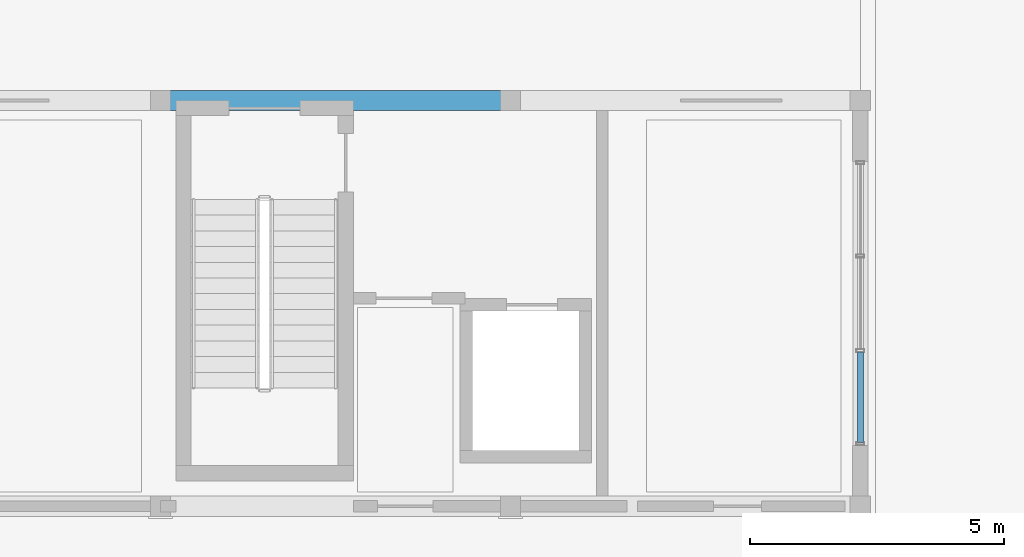
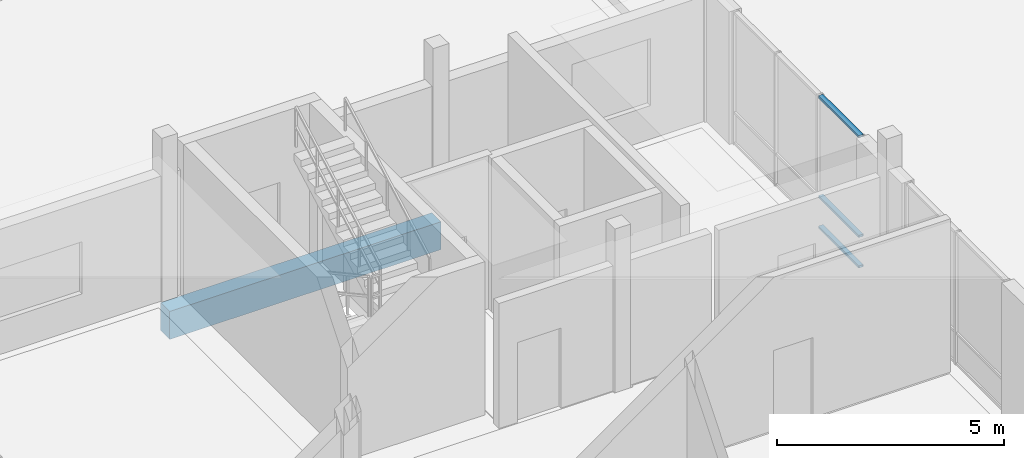
# One storey, part 90 of 233: 3 members, 1 beam, 1 element without a shape of its own.
"""IFC4 building model written with IfcOpenShell, lengths in metres."""

from ifc_helpers import new_model, si_unit, direction, frame, origin, origin_2d, place, context, subcontext, project, spatial, rectangle, hollow_rectangle, extrude, material, material_profile, profile_set, type_object, element, aggregate, save


model = new_model("IFC4")

# Units and contexts
model_context = context("Model", 3, precision=1e-05, world=origin(), true_north=direction((0.0, 1.0)))
body_context = subcontext(model_context, "Body", "Model", "MODEL_VIEW")
ifc_project = project(units=[si_unit("LENGTHUNIT", "METRE"), si_unit("AREAUNIT", "SQUARE_METRE"), si_unit("VOLUMEUNIT", "CUBIC_METRE"), si_unit("PLANEANGLEUNIT", "RADIAN"), si_unit("MASSUNIT", "GRAM", prefix="KILO")], contexts=[model_context])

# Site, building, storey
site_placement = place(None, origin())
site = spatial("IfcSite", under=ifc_project, at=site_placement, CompositionType="ELEMENT")
building_placement = place(site_placement, origin())
building = spatial("IfcBuilding", under=site, at=building_placement, Name="Zavelmont Quarter", CompositionType="ELEMENT")
storey_placement = place(building_placement, origin())
storey = spatial("IfcBuildingStorey", under=building, at=storey_placement, Name="L00", CompositionType="ELEMENT", Elevation=0.0)

# Beam
ifc_material_1 = material(Name="Concrete C40/50", Category="concrete")
ifc_material_profile_1 = material_profile(ifc_material_1, rectangle(XDim=0.39990234375, YDim=0.75, at=origin_2d()), Name="RC400X750")
ifc_profile_set_1 = profile_set([ifc_material_profile_1], Name="Concrete C40/50")
beam_type = type_object("IfcBeamType", Name="BM05", PredefinedType="BEAM", material=ifc_profile_set_1)
beam_placement = place(storey_placement, frame((6.89990234375, 86.0, -0.695068359375), z_axis=(1.0, 0.0, 0.0), x_axis=(0.0, 1.0, 0.0)))
element("IfcBeam", 1, at=beam_placement, inside=storey, type_object=beam_type, Name="L00 beam BM05 2/N to 3/N", PredefinedType="BEAM", context=body_context, shape_type="SweptSolid", body=[
    extrude(rectangle(XDim=0.39990234375, YDim=0.75, at=origin_2d()), origin(), (0.0, 0.0, 1.0), 6.900146484375),
])

# Curtain wall, members
ifc_material_2 = material(Name="Thermally broken aluminium and double low-E safety glazing", Category="aluminium")
curtain_wall_type = type_object("IfcCurtainWallType", Name="CW-560X356", PredefinedType="NOTDEFINED", material=ifc_material_2)
curtain_wall_placement = place(storey_placement, origin())
curtain_wall = element("IfcCurtainWall", 2, at=curtain_wall_placement, inside=storey, type_object=curtain_wall_type, Name="L00 unitised curtain wall CW-560X356", PredefinedType="NOTDEFINED")
ifc_material_3 = material(Name="Powder-coated aluminium EN AW-6063-T6", Category="aluminium")
ifc_material_profile_2 = material_profile(ifc_material_3, hollow_rectangle(XDim=0.1201171875, YDim=0.06005859375, WallThickness=0.00390625, at=origin_2d()), Name="CWT60X120")
ifc_profile_set_2 = profile_set([ifc_material_profile_2], Name="Powder-coated aluminium EN AW-6063-T6")
member_type = type_object("IfcMemberType", Name="CWT01", PredefinedType="NOTDEFINED", material=ifc_profile_set_2)
member_1_placement = place(storey_placement, frame((20.699951171875, 79.260009765625, 0.030029296875), z_axis=(0.0, 1.0, 0.0), x_axis=(-1.0, 0.0, 0.0)))
member_1 = element("IfcMember", 3, at=member_1_placement, type_object=member_type, Name="CW-560X356 transom 1.1", ObjectType="TRANSOM", PredefinedType="USERDEFINED", context=body_context, shape_type="SweptSolid", body=[
    extrude(hollow_rectangle(XDim=0.1201171875, YDim=0.06005859375, WallThickness=0.00390625, at=origin_2d()), origin(), (0.0, 0.0, 1.0), 1.776611328125),
])
member_2_placement = place(storey_placement, frame((20.699951171875, 79.260009765625, 0.85009765625), z_axis=(0.0, 1.0, 0.0), x_axis=(-1.0, 0.0, 0.0)))
member_2 = element("IfcMember", 4, at=member_2_placement, type_object=member_type, Name="CW-560X356 transom 1.2", ObjectType="TRANSOM", PredefinedType="USERDEFINED", context=body_context, shape_type="SweptSolid", body=[
    extrude(hollow_rectangle(XDim=0.1201171875, YDim=0.06005859375, WallThickness=0.00390625, at=origin_2d()), origin(), (0.0, 0.0, 1.0), 1.776611328125),
])
member_3_placement = place(storey_placement, frame((20.699951171875, 79.260009765625, 3.530029296875), z_axis=(0.0, 1.0, 0.0), x_axis=(-1.0, 0.0, 0.0)))
member_3 = element("IfcMember", 5, at=member_3_placement, type_object=member_type, Name="CW-560X356 transom 1.3", ObjectType="TRANSOM", PredefinedType="USERDEFINED", context=body_context, shape_type="SweptSolid", body=[
    extrude(hollow_rectangle(XDim=0.1201171875, YDim=0.06005859375, WallThickness=0.00390625, at=origin_2d()), origin(), (0.0, 0.0, 1.0), 1.776611328125),
])
aggregate(curtain_wall, [member_1, member_2, member_3])

save(model, "model.ifc")
